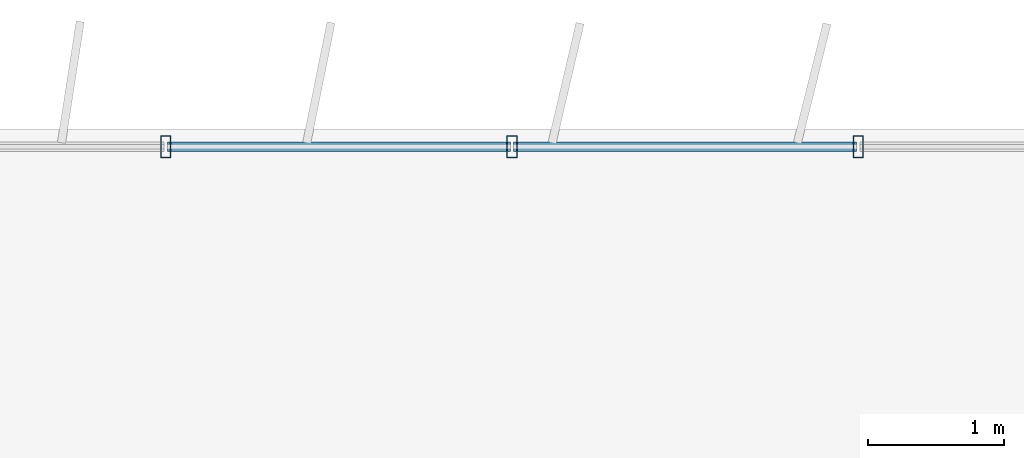
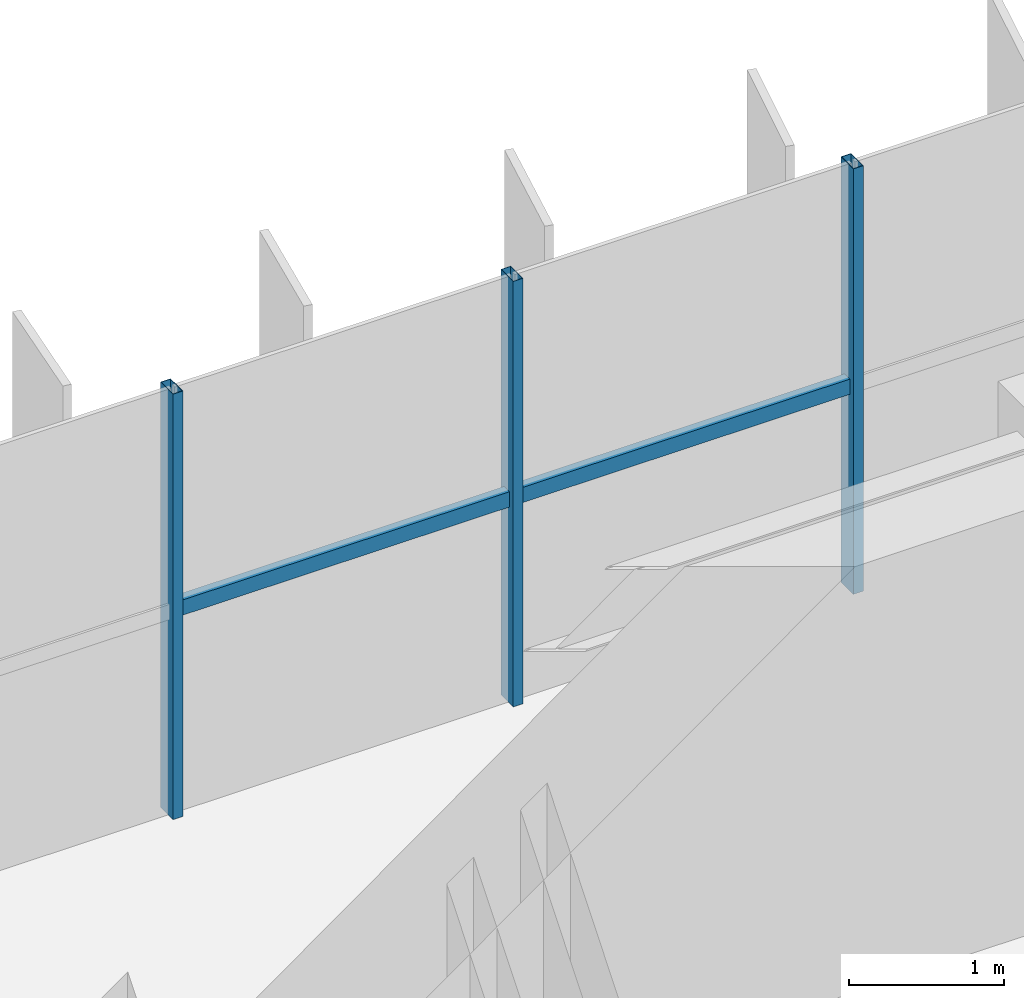
# One storey, part 8 of 23: 5 members, 1 element without a shape of its own.
"""IFC4 building model written with IfcOpenShell, lengths in metres."""

from ifc_helpers import new_model, si_unit, direction, frame, origin, origin_2d, place, context, subcontext, project, spatial, hollow_rectangle, extrude, source, transform, mapped, material, material_profile, profile_set, type_object, element, aggregate, save


model = new_model("IFC4")

# Units and contexts
model_context = context("Model", 3, precision=1e-05, world=origin(), true_north=direction((0.0, 1.0)))
body_context = subcontext(model_context, "Body", "Model", "MODEL_VIEW")
ifc_project = project(units=[si_unit("LENGTHUNIT", "METRE"), si_unit("AREAUNIT", "SQUARE_METRE"), si_unit("VOLUMEUNIT", "CUBIC_METRE"), si_unit("PLANEANGLEUNIT", "RADIAN"), si_unit("MASSUNIT", "GRAM", prefix="KILO")], contexts=[model_context])

# Site, building, storey
site_placement = place(None, origin())
site = spatial("IfcSite", under=ifc_project, at=site_placement, CompositionType="ELEMENT")
building_placement = place(site_placement, origin())
building = spatial("IfcBuilding", under=site, at=building_placement, Name="Trelvane Seafront Commons", CompositionType="ELEMENT")
storey_placement = place(building_placement, frame((0.0, 0.0, 226.5)))
storey = spatial("IfcBuildingStorey", under=building, at=storey_placement, Name="L59", CompositionType="ELEMENT", Elevation=226.5)

# Curtain wall, members
ifc_material = material(Name="Anodised pale-silver aluminium", Category="aluminium")
curtain_wall_type = type_object("IfcCurtainWallType", Name="ARCH-CW5-UPTOWER", PredefinedType="NOTDEFINED", material=ifc_material)
curtain_wall_placement = place(storey_placement, origin())
curtain_wall = element("IfcCurtainWall", 1, at=curtain_wall_placement, inside=storey, type_object=curtain_wall_type, Name="CW-L59-0102", PredefinedType="NOTDEFINED")
ifc_material_profile_1 = material_profile(ifc_material, hollow_rectangle(XDim=0.070068359375, YDim=0.1201171875, WallThickness=0.00390625, at=origin_2d()), Name="TRAN-70x120x4")
ifc_profile_set_1 = profile_set([ifc_material_profile_1], Name="Anodised pale-silver aluminium")
member_type_1 = type_object("IfcMemberType", Name="ARCH-CW-TRAN-120", PredefinedType="USERDEFINED", material=ifc_profile_set_1)
shared_shape_1 = source(origin(), body_context, "Body", "SweptSolid", [
    extrude(hollow_rectangle(XDim=0.070068359375, YDim=0.1201171875, WallThickness=0.00390625, at=origin_2d()), origin(), (0.0, 0.0, 1.0), 2.517333984375),
])
member_1_placement = place(storey_placement, frame((25.776611328125, 48.3701171875, 1.613037109375), z_axis=(1.0, 0.0, 0.0), x_axis=(0.0, 1.0, 0.0)))
member_1 = element("IfcMember", 2, at=member_1_placement, type_object=member_type_1, Name="CW-L59-0102-T04", ObjectType="TRANSOM", PredefinedType="USERDEFINED", context=body_context, shape_type="MappedRepresentation", body=[
    mapped(shared_shape_1, transform((0.0, 0.0, 0.0), x_axis=(1.0, 0.0, 0.0), y_axis=(0.0, 1.0, 0.0), z_axis=(0.0, 0.0, 1.0), scale=1.0)),
])
member_2_placement = place(storey_placement, frame((28.31787109375, 48.3701171875, 1.613037109375), z_axis=(1.0, 0.0, 0.0), x_axis=(0.0, 1.0, 0.0)))
member_2 = element("IfcMember", 3, at=member_2_placement, type_object=member_type_1, Name="CW-L59-0102-T05", ObjectType="TRANSOM", PredefinedType="USERDEFINED", context=body_context, shape_type="MappedRepresentation", body=[
    mapped(shared_shape_1, transform((0.0, 0.0, 0.0), x_axis=(1.0, 0.0, 0.0), y_axis=(0.0, 1.0, 0.0), z_axis=(0.0, 0.0, 1.0), scale=1.0)),
])
ifc_material_profile_2 = material_profile(ifc_material, hollow_rectangle(XDim=0.074951171875, YDim=0.159912109375, WallThickness=0.00390625, at=origin_2d()), Name="MULL-75x160x4")
ifc_profile_set_2 = profile_set([ifc_material_profile_2], Name="Anodised pale-silver aluminium")
member_type_2 = type_object("IfcMemberType", Name="ARCH-CW-MULL-160", PredefinedType="MULLION", material=ifc_profile_set_2)
shared_shape_2 = source(origin(), body_context, "Body", "SweptSolid", [
    extrude(hollow_rectangle(XDim=0.074951171875, YDim=0.159912109375, WallThickness=0.00390625, at=origin_2d()), origin(), (0.0, 0.0, 1.0), 3.360107421875),
])
member_3_placement = place(storey_placement, frame((25.7646484375, 48.3701171875, 0.0), z_axis=(0.0, 0.0, 1.0), x_axis=(1.0, 0.0, 0.0)))
member_3 = element("IfcMember", 4, at=member_3_placement, type_object=member_type_2, Name="CW-L59-0102-M04", PredefinedType="MULLION", context=body_context, shape_type="MappedRepresentation", body=[
    mapped(shared_shape_2, transform((0.0, 0.0, 0.0), x_axis=(1.0, 0.0, 0.0), y_axis=(0.0, 1.0, 0.0), z_axis=(0.0, 0.0, 1.0), scale=1.0)),
])
member_4_placement = place(storey_placement, frame((28.305908203125, 48.3701171875, 0.0), z_axis=(0.0, 0.0, 1.0), x_axis=(1.0, 0.0, 0.0)))
member_4 = element("IfcMember", 5, at=member_4_placement, type_object=member_type_2, Name="CW-L59-0102-M05", PredefinedType="MULLION", context=body_context, shape_type="MappedRepresentation", body=[
    mapped(shared_shape_2, transform((0.0, 0.0, 0.0), x_axis=(1.0, 0.0, 0.0), y_axis=(0.0, 1.0, 0.0), z_axis=(0.0, 0.0, 1.0), scale=1.0)),
])
member_5_placement = place(storey_placement, frame((30.84716796875, 48.3701171875, 0.0), z_axis=(0.0, 0.0, 1.0), x_axis=(1.0, 0.0, 0.0)))
member_5 = element("IfcMember", 6, at=member_5_placement, type_object=member_type_2, Name="CW-L59-0102-M06", PredefinedType="MULLION", context=body_context, shape_type="MappedRepresentation", body=[
    mapped(shared_shape_2, transform((0.0, 0.0, 0.0), x_axis=(1.0, 0.0, 0.0), y_axis=(0.0, 1.0, 0.0), z_axis=(0.0, 0.0, 1.0), scale=1.0)),
])
aggregate(curtain_wall, [member_3, member_4, member_5, member_1, member_2])

save(model, "model.ifc")
